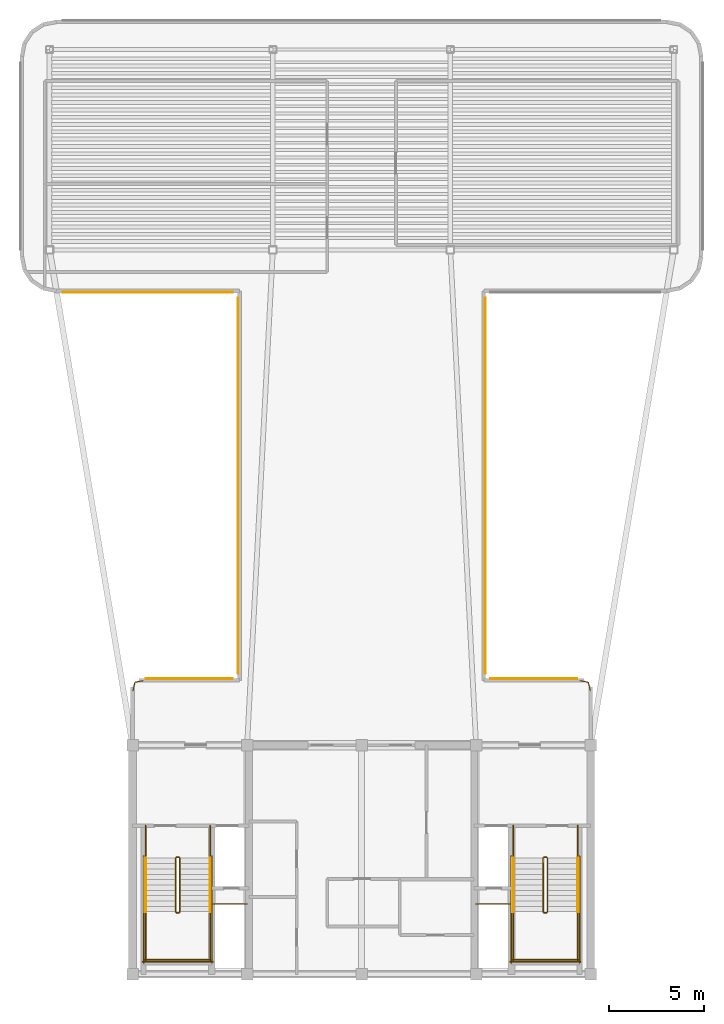
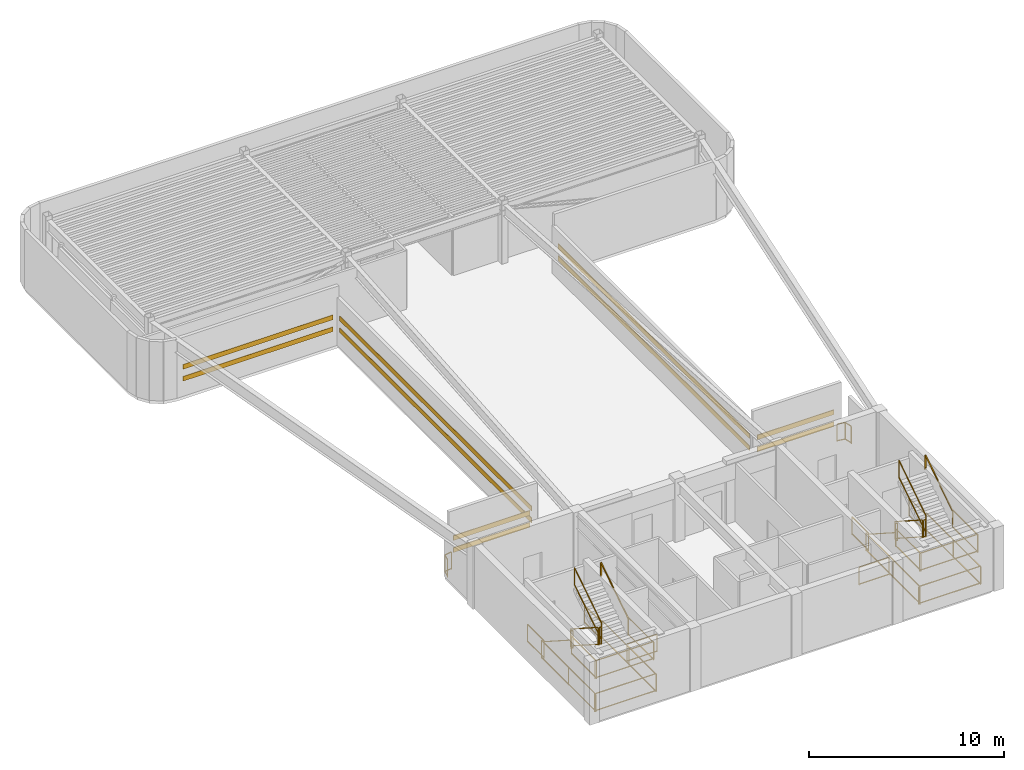
# One storey, part 5 of 6: 32 railings, 10 shading devices.
"""IFC4 building model written with IfcOpenShell, lengths in metres."""

from ifc_helpers import new_model, si_unit, direction, frame, origin, origin_2d, place, context, subcontext, project, spatial, rectangle, extrude, source, transform, mapped, material, layer, layer_set, material_profile, profile_set, type_object, element, save


model = new_model("IFC4")

# Units and contexts
model_context = context("Model", 3, precision=1e-05, world=origin(), true_north=direction((0.0, 1.0)))
body_context = subcontext(model_context, "Body", "Model", "MODEL_VIEW")
ifc_project = project(units=[si_unit("LENGTHUNIT", "METRE"), si_unit("AREAUNIT", "SQUARE_METRE"), si_unit("VOLUMEUNIT", "CUBIC_METRE"), si_unit("PLANEANGLEUNIT", "RADIAN"), si_unit("MASSUNIT", "GRAM", prefix="KILO")], contexts=[model_context])

# Site, building, storey
site_placement = place(None, origin())
site = spatial("IfcSite", under=ifc_project, at=site_placement, CompositionType="ELEMENT")
building_placement = place(site_placement, origin())
building = spatial("IfcBuilding", under=site, at=building_placement, Name="Brelvock Crest Care Tower", CompositionType="ELEMENT")
storey_placement = place(building_placement, frame((0.0, 0.0, 311.760009765625)))
storey = spatial("IfcBuildingStorey", under=building, at=storey_placement, Name="L79", CompositionType="ELEMENT", Elevation=311.760009765625)

# Railings
ifc_material_1 = material(Name="Steel Grade 350", Category="steel")
ifc_layer_1 = layer(ifc_material_1, 0.06005859375, Name="RL-GRD1")
ifc_layer_set_1 = layer_set([ifc_layer_1], Name="Steel Grade 350")
railing_type_1 = type_object("IfcRailingType", Name="RL-GRD1", PredefinedType="GUARDRAIL", material=ifc_layer_set_1)
railing_1_placement = place(storey_placement, frame((24.02001953125, 20.85009765625, 0.00390625)))
element("IfcRailing", 1, at=railing_1_placement, inside=storey, type_object=railing_type_1, Name="L79 West Throat Corner Guard", PredefinedType="GUARDRAIL", context=body_context, shape_type="SweptSolid", body=[
    extrude(rectangle(XDim=0.048095703125, YDim=0.048095703125, at=origin_2d()), frame((0.00048828125, 0.001953125, 1.09619140625), z_axis=(0.21715477266, 0.976137185395, 0.0), x_axis=(-0.976137185395, 0.21715477266, 0.0)), (0.0, 0.0, 1.0), 0.45703125),
    extrude(rectangle(XDim=0.048095703125, YDim=0.048095703125, at=origin_2d()), frame((0.00048828125, 0.001953125, 0.054931640625), z_axis=(0.21715477266, 0.976137185395, 0.0), x_axis=(-0.976137185395, 0.21715477266, 0.0)), (0.0, 0.0, 1.0), 0.45703125),
    extrude(rectangle(XDim=0.048095703125, YDim=0.048095703125, at=origin_2d()), frame((0.10205078125, 0.4501953125, 1.09619140625), z_axis=(0.983193031384, 0.182569063749, 0.0), x_axis=(-0.182569063749, 0.983193031384, 0.0)), (0.0, 0.0, 1.0), 0.433349609375),
    extrude(rectangle(XDim=0.048095703125, YDim=0.048095703125, at=origin_2d()), frame((0.10205078125, 0.4501953125, 0.054931640625), z_axis=(0.983193031384, 0.182569063749, 0.0), x_axis=(-0.182569063749, 0.983193031384, 0.0)), (0.0, 0.0, 1.0), 0.433349609375),
    extrude(rectangle(XDim=0.0419921875, YDim=0.0419921875, at=origin_2d()), origin(), (0.0, 0.0, 1.0), 1.070068359375),
    extrude(rectangle(XDim=0.0419921875, YDim=0.0419921875, at=origin_2d()), frame((0.10009765625, 0.449951171875, 0.0)), (0.0, 0.0, 1.0), 1.070068359375),
    extrude(rectangle(XDim=0.0419921875, YDim=0.0419921875, at=origin_2d()), frame((0.530029296875, 0.52978515625, 0.0)), (0.0, 0.0, 1.0), 1.070068359375),
])
railing_2_placement = place(storey_placement, frame((47.449951171875, 21.3798828125, 0.00390625)))
element("IfcRailing", 2, at=railing_2_placement, inside=storey, type_object=railing_type_1, Name="L79 East Throat Corner Guard", PredefinedType="GUARDRAIL", context=body_context, shape_type="SweptSolid", body=[
    extrude(rectangle(XDim=0.048095703125, YDim=0.048095703125, at=origin_2d()), frame((0.001953125, -0.000244140625, 1.09619140625), z_axis=(0.983193031384, -0.182569063749, 0.0), x_axis=(0.182569063749, 0.983193031384, 0.0)), (0.0, 0.0, 1.0), 0.433349609375),
    extrude(rectangle(XDim=0.048095703125, YDim=0.048095703125, at=origin_2d()), frame((0.001953125, -0.000244140625, 0.054931640625), z_axis=(0.983193031384, -0.182569063749, 0.0), x_axis=(0.182569063749, 0.983193031384, 0.0)), (0.0, 0.0, 1.0), 0.433349609375),
    extrude(rectangle(XDim=0.048095703125, YDim=0.048095703125, at=origin_2d()), frame((0.430419921875, -0.081787109375, 1.09619140625), z_axis=(0.21715477266, -0.976137185395, 0.0), x_axis=(0.976137185395, 0.21715477266, 0.0)), (0.0, 0.0, 1.0), 0.45703125),
    extrude(rectangle(XDim=0.048095703125, YDim=0.048095703125, at=origin_2d()), frame((0.430419921875, -0.081787109375, 0.054931640625), z_axis=(0.21715477266, -0.976137185395, 0.0), x_axis=(0.976137185395, 0.21715477266, 0.0)), (0.0, 0.0, 1.0), 0.45703125),
    extrude(rectangle(XDim=0.0419921875, YDim=0.0419921875, at=origin_2d()), origin(), (0.0, 0.0, 1.0), 1.070068359375),
    extrude(rectangle(XDim=0.0419921875, YDim=0.0419921875, at=origin_2d()), frame((0.429931640625, -0.079833984375, 0.0)), (0.0, 0.0, 1.0), 1.070068359375),
    extrude(rectangle(XDim=0.0419921875, YDim=0.0419921875, at=origin_2d()), frame((0.530029296875, -0.52978515625, 0.0)), (0.0, 0.0, 1.0), 1.070068359375),
])
ifc_layer_2 = layer(ifc_material_1, 0.050048828125, Name="RL-STG1")
ifc_layer_set_2 = layer_set([ifc_layer_2], Name="Steel Grade 350")
railing_type_2 = type_object("IfcRailingType", Name="RL-STG1", PredefinedType="GUARDRAIL", material=ifc_layer_set_2)
railing_3_placement = place(storey_placement, frame((26.260009765625, 12.080078125, 0.179931640625)))
element("IfcRailing", 3, at=railing_3_placement, inside=storey, type_object=railing_type_2, Name="L79 ST-1 stair guard 1", PredefinedType="GUARDRAIL", context=body_context, shape_type="SweptSolid", body=[
    extrude(rectangle(XDim=0.048095703125, YDim=0.048095703125, at=origin_2d()), frame((0.0, -0.001708984375, 1.116943359375), z_axis=(0.0, -0.841176092368, 0.540761298198), x_axis=(1.0, 0.0, 0.0)), (0.0, 0.0, 1.0), 3.32470703125),
    extrude(rectangle(XDim=0.048095703125, YDim=0.048095703125, at=origin_2d()), frame((0.0, -0.001708984375, 0.05615234375), z_axis=(0.0, -0.841176092368, 0.540761298198), x_axis=(1.0, 0.0, 0.0)), (0.0, 0.0, 1.0), 3.32470703125),
    extrude(rectangle(XDim=0.0419921875, YDim=0.0419921875, at=origin_2d()), origin(), (0.0, 0.0, 1.0), 1.08984375),
    extrude(rectangle(XDim=0.0419921875, YDim=0.0419921875, at=origin_2d()), frame((0.0, -2.800048828125, 1.800048828125)), (0.0, 0.0, 1.0), 1.08984375),
])
railing_4_placement = place(storey_placement, frame((26.31005859375, 9.22998046875, 1.97998046875)))
element("IfcRailing", 4, at=railing_4_placement, inside=storey, type_object=railing_type_2, Name="L79 ST-1 stair guard 2", PredefinedType="GUARDRAIL", context=body_context, shape_type="SweptSolid", body=[
    extrude(rectangle(XDim=0.048095703125, YDim=0.048095703125, at=origin_2d()), frame((0.001953125, 0.0, 1.11572265625), z_axis=(1.0, 0.0, 0.0), x_axis=(0.0, 1.0, 0.0)), (0.0, 0.0, 1.0), 0.115966796875),
    extrude(rectangle(XDim=0.048095703125, YDim=0.048095703125, at=origin_2d()), frame((0.001953125, 0.0, 0.054931640625), z_axis=(1.0, 0.0, 0.0), x_axis=(0.0, 1.0, 0.0)), (0.0, 0.0, 1.0), 0.115966796875),
    extrude(rectangle(XDim=0.0419921875, YDim=0.0419921875, at=origin_2d()), origin(), (0.0, 0.0, 1.0), 1.08984375),
    extrude(rectangle(XDim=0.0419921875, YDim=0.0419921875, at=origin_2d()), frame((0.119873046875, 0.0, 0.0)), (0.0, 0.0, 1.0), 1.08984375),
])
for number, where, name in (
    (5, (24.679931640625, 9.280029296875, 1.97998046875), "L79 ST-1 stair guard 3"),
    (6, (28.06005859375, 9.280029296875, 1.97998046875), "L79 ST-1 stair guard 4"),
):
    element("IfcRailing", number, at=place(storey_placement, frame(where)), inside=storey, type_object=railing_type_2, Name=name, PredefinedType="GUARDRAIL", context=body_context, shape_type="SweptSolid", body=[
        extrude(rectangle(XDim=0.048095703125, YDim=0.048095703125, at=origin_2d()), frame((0.0, -0.001953125, 1.11572265625), z_axis=(0.0, -1.0, 0.0), x_axis=(1.0, 0.0, 0.0)), (0.0, 0.0, 1.0), 2.576171875),
        extrude(rectangle(XDim=0.048095703125, YDim=0.048095703125, at=origin_2d()), frame((0.0, -0.001953125, 0.054931640625), z_axis=(0.0, -1.0, 0.0), x_axis=(1.0, 0.0, 0.0)), (0.0, 0.0, 1.0), 2.576171875),
        extrude(rectangle(XDim=0.0419921875, YDim=0.0419921875, at=origin_2d()), origin(), (0.0, 0.0, 1.0), 1.08984375),
        extrude(rectangle(XDim=0.0419921875, YDim=0.0419921875, at=origin_2d()), frame((0.0, -2.580078125, 0.0)), (0.0, 0.0, 1.0), 1.08984375),
    ])
railing_5_placement = place(storey_placement, frame((24.6298828125, 6.75, 1.97998046875)))
element("IfcRailing", 7, at=railing_5_placement, inside=storey, type_object=railing_type_2, Name="L79 ST-1 stair guard 5", PredefinedType="GUARDRAIL", context=body_context, shape_type="SweptSolid", body=[
    extrude(rectangle(XDim=0.048095703125, YDim=0.048095703125, at=origin_2d()), frame((0.001953125, 0.0, 1.11572265625), z_axis=(1.0, 0.0, 0.0), x_axis=(0.0, 1.0, 0.0)), (0.0, 0.0, 1.0), 3.476318359375),
    extrude(rectangle(XDim=0.048095703125, YDim=0.048095703125, at=origin_2d()), frame((0.001953125, 0.0, 0.054931640625), z_axis=(1.0, 0.0, 0.0), x_axis=(0.0, 1.0, 0.0)), (0.0, 0.0, 1.0), 3.476318359375),
    extrude(rectangle(XDim=0.0419921875, YDim=0.0419921875, at=origin_2d()), origin(), (0.0, 0.0, 1.0), 1.08984375),
    extrude(rectangle(XDim=0.0419921875, YDim=0.0419921875, at=origin_2d()), frame((3.480224609375, 0.0, 0.0)), (0.0, 0.0, 1.0), 1.08984375),
])
railing_6_placement = place(storey_placement, frame((26.47998046875, 9.280029296875, 2.159912109375)))
element("IfcRailing", 8, at=railing_6_placement, inside=storey, type_object=railing_type_2, Name="L79 ST-1 stair guard 6", PredefinedType="GUARDRAIL", context=body_context, shape_type="SweptSolid", body=[
    extrude(rectangle(XDim=0.048095703125, YDim=0.048095703125, at=origin_2d()), frame((0.0, 0.001708984375, 1.116943359375), z_axis=(0.0, 0.841176092368, 0.540761298198), x_axis=(-1.0, 0.0, 0.0)), (0.0, 0.0, 1.0), 3.32470703125),
    extrude(rectangle(XDim=0.048095703125, YDim=0.048095703125, at=origin_2d()), frame((0.0, 0.001708984375, 0.05615234375), z_axis=(0.0, 0.841176092368, 0.540761298198), x_axis=(-1.0, 0.0, 0.0)), (0.0, 0.0, 1.0), 3.32470703125),
    extrude(rectangle(XDim=0.0419921875, YDim=0.0419921875, at=origin_2d()), origin(), (0.0, 0.0, 1.0), 1.08984375),
    extrude(rectangle(XDim=0.0419921875, YDim=0.0419921875, at=origin_2d()), frame((0.0, 2.800048828125, 1.800048828125)), (0.0, 0.0, 1.0), 1.08984375),
])
railing_7_placement = place(storey_placement, frame((26.31005859375, 12.1298828125, 0.0)))
element("IfcRailing", 9, at=railing_7_placement, inside=storey, type_object=railing_type_2, Name="L79 ST-1 stair guard 7", PredefinedType="GUARDRAIL", context=body_context, shape_type="SweptSolid", body=[
    extrude(rectangle(XDim=0.048095703125, YDim=0.048095703125, at=origin_2d()), frame((0.001953125, 0.0, 1.11572265625), z_axis=(1.0, 0.0, 0.0), x_axis=(0.0, 1.0, 0.0)), (0.0, 0.0, 1.0), 0.115966796875),
    extrude(rectangle(XDim=0.048095703125, YDim=0.048095703125, at=origin_2d()), frame((0.001953125, 0.0, 0.054931640625), z_axis=(1.0, 0.0, 0.0), x_axis=(0.0, 1.0, 0.0)), (0.0, 0.0, 1.0), 0.115966796875),
    extrude(rectangle(XDim=0.0419921875, YDim=0.0419921875, at=origin_2d()), origin(), (0.0, 0.0, 1.0), 1.08984375),
    extrude(rectangle(XDim=0.0419921875, YDim=0.0419921875, at=origin_2d()), frame((0.119873046875, 0.0, 0.0)), (0.0, 0.0, 1.0), 1.08984375),
])
for number, where, name in (
    (10, (24.679931640625, 13.780029296875, 0.0), "L79 ST-1 stair guard 8"),
    (11, (28.06005859375, 13.780029296875, 0.0), "L79 ST-1 stair guard 9"),
):
    element("IfcRailing", number, at=place(storey_placement, frame(where)), inside=storey, type_object=railing_type_2, Name=name, PredefinedType="GUARDRAIL", context=body_context, shape_type="SweptSolid", body=[
        extrude(rectangle(XDim=0.048095703125, YDim=0.048095703125, at=origin_2d()), frame((0.0, -0.001953125, 1.11572265625), z_axis=(0.0, -1.0, 0.0), x_axis=(1.0, 0.0, 0.0)), (0.0, 0.0, 1.0), 1.696044921875),
        extrude(rectangle(XDim=0.048095703125, YDim=0.048095703125, at=origin_2d()), frame((0.0, -0.001953125, 0.054931640625), z_axis=(0.0, -1.0, 0.0), x_axis=(1.0, 0.0, 0.0)), (0.0, 0.0, 1.0), 1.696044921875),
        extrude(rectangle(XDim=0.0419921875, YDim=0.0419921875, at=origin_2d()), origin(), (0.0, 0.0, 1.0), 1.08984375),
        extrude(rectangle(XDim=0.0419921875, YDim=0.0419921875, at=origin_2d()), frame((0.0, -1.699951171875, 0.0)), (0.0, 0.0, 1.0), 1.08984375),
    ])
for number, where, name in (
    (12, (24.580078125, 12.179931640625, 0.0), "L79 ST-1 stair guard 10"),
    (13, (28.159912109375, 12.179931640625, 0.0), "L79 ST-1 stair guard 11"),
):
    element("IfcRailing", number, at=place(storey_placement, frame(where)), inside=storey, type_object=railing_type_2, Name=name, PredefinedType="GUARDRAIL", context=body_context, shape_type="SweptSolid", body=[
        extrude(rectangle(XDim=0.048095703125, YDim=0.048095703125, at=origin_2d()), frame((0.0, -0.001953125, 1.11572265625), z_axis=(0.0, -1.0, 0.0), x_axis=(1.0, 0.0, 0.0)), (0.0, 0.0, 1.0), 5.575927734375),
        extrude(rectangle(XDim=0.048095703125, YDim=0.048095703125, at=origin_2d()), frame((0.0, -0.001953125, 0.054931640625), z_axis=(0.0, -1.0, 0.0), x_axis=(1.0, 0.0, 0.0)), (0.0, 0.0, 1.0), 5.575927734375),
        extrude(rectangle(XDim=0.0419921875, YDim=0.0419921875, at=origin_2d()), origin(), (0.0, 0.0, 1.0), 1.08984375),
        extrude(rectangle(XDim=0.0419921875, YDim=0.0419921875, at=origin_2d()), frame((0.0, -2.7900390625, 0.0)), (0.0, 0.0, 1.0), 1.08984375),
        extrude(rectangle(XDim=0.0419921875, YDim=0.0419921875, at=origin_2d()), frame((0.0, -5.579833984375, 0.0)), (0.0, 0.0, 1.0), 1.08984375),
    ])
railing_8_placement = place(storey_placement, frame((24.530029296875, 6.64990234375, 0.0)))
element("IfcRailing", 14, at=railing_8_placement, inside=storey, type_object=railing_type_2, Name="L79 ST-1 stair guard 12", PredefinedType="GUARDRAIL", context=body_context, shape_type="SweptSolid", body=[
    extrude(rectangle(XDim=0.048095703125, YDim=0.048095703125, at=origin_2d()), frame((0.001953125, 0.0, 1.11572265625), z_axis=(1.0, 0.0, 0.0), x_axis=(0.0, 1.0, 0.0)), (0.0, 0.0, 1.0), 3.676025390625),
    extrude(rectangle(XDim=0.048095703125, YDim=0.048095703125, at=origin_2d()), frame((0.001953125, 0.0, 0.054931640625), z_axis=(1.0, 0.0, 0.0), x_axis=(0.0, 1.0, 0.0)), (0.0, 0.0, 1.0), 3.676025390625),
    extrude(rectangle(XDim=0.0419921875, YDim=0.0419921875, at=origin_2d()), origin(), (0.0, 0.0, 1.0), 1.08984375),
    extrude(rectangle(XDim=0.0419921875, YDim=0.0419921875, at=origin_2d()), frame((3.679931640625, 0.0, 0.0)), (0.0, 0.0, 1.0), 1.08984375),
])
railing_9_placement = place(storey_placement, frame((45.52001953125, 12.080078125, 0.179931640625)))
element("IfcRailing", 15, at=railing_9_placement, inside=storey, type_object=railing_type_2, Name="L79 ST-2 stair guard 1", PredefinedType="GUARDRAIL", context=body_context, shape_type="SweptSolid", body=[
    extrude(rectangle(XDim=0.048095703125, YDim=0.048095703125, at=origin_2d()), frame((0.0, -0.001708984375, 1.116943359375), z_axis=(0.0, -0.841176092368, 0.540761298198), x_axis=(1.0, 0.0, 0.0)), (0.0, 0.0, 1.0), 3.32470703125),
    extrude(rectangle(XDim=0.048095703125, YDim=0.048095703125, at=origin_2d()), frame((0.0, -0.001708984375, 0.05615234375), z_axis=(0.0, -0.841176092368, 0.540761298198), x_axis=(1.0, 0.0, 0.0)), (0.0, 0.0, 1.0), 3.32470703125),
    extrude(rectangle(XDim=0.0419921875, YDim=0.0419921875, at=origin_2d()), origin(), (0.0, 0.0, 1.0), 1.08984375),
    extrude(rectangle(XDim=0.0419921875, YDim=0.0419921875, at=origin_2d()), frame((0.0, -2.800048828125, 1.800048828125)), (0.0, 0.0, 1.0), 1.08984375),
])
railing_10_placement = place(storey_placement, frame((45.570068359375, 9.22998046875, 1.97998046875)))
element("IfcRailing", 16, at=railing_10_placement, inside=storey, type_object=railing_type_2, Name="L79 ST-2 stair guard 2", PredefinedType="GUARDRAIL", context=body_context, shape_type="SweptSolid", body=[
    extrude(rectangle(XDim=0.048095703125, YDim=0.048095703125, at=origin_2d()), frame((0.001953125, 0.0, 1.11572265625), z_axis=(1.0, 0.0, 0.0), x_axis=(0.0, 1.0, 0.0)), (0.0, 0.0, 1.0), 0.115966796875),
    extrude(rectangle(XDim=0.048095703125, YDim=0.048095703125, at=origin_2d()), frame((0.001953125, 0.0, 0.054931640625), z_axis=(1.0, 0.0, 0.0), x_axis=(0.0, 1.0, 0.0)), (0.0, 0.0, 1.0), 0.115966796875),
    extrude(rectangle(XDim=0.0419921875, YDim=0.0419921875, at=origin_2d()), origin(), (0.0, 0.0, 1.0), 1.08984375),
    extrude(rectangle(XDim=0.0419921875, YDim=0.0419921875, at=origin_2d()), frame((0.119873046875, 0.0, 0.0)), (0.0, 0.0, 1.0), 1.08984375),
])
for number, where, name in (
    (17, (43.93994140625, 9.280029296875, 1.97998046875), "L79 ST-2 stair guard 3"),
    (18, (47.320068359375, 9.280029296875, 1.97998046875), "L79 ST-2 stair guard 4"),
):
    element("IfcRailing", number, at=place(storey_placement, frame(where)), inside=storey, type_object=railing_type_2, Name=name, PredefinedType="GUARDRAIL", context=body_context, shape_type="SweptSolid", body=[
        extrude(rectangle(XDim=0.048095703125, YDim=0.048095703125, at=origin_2d()), frame((0.0, -0.001953125, 1.11572265625), z_axis=(0.0, -1.0, 0.0), x_axis=(1.0, 0.0, 0.0)), (0.0, 0.0, 1.0), 2.576171875),
        extrude(rectangle(XDim=0.048095703125, YDim=0.048095703125, at=origin_2d()), frame((0.0, -0.001953125, 0.054931640625), z_axis=(0.0, -1.0, 0.0), x_axis=(1.0, 0.0, 0.0)), (0.0, 0.0, 1.0), 2.576171875),
        extrude(rectangle(XDim=0.0419921875, YDim=0.0419921875, at=origin_2d()), origin(), (0.0, 0.0, 1.0), 1.08984375),
        extrude(rectangle(XDim=0.0419921875, YDim=0.0419921875, at=origin_2d()), frame((0.0, -2.580078125, 0.0)), (0.0, 0.0, 1.0), 1.08984375),
    ])
railing_11_placement = place(storey_placement, frame((43.889892578125, 6.75, 1.97998046875)))
element("IfcRailing", 19, at=railing_11_placement, inside=storey, type_object=railing_type_2, Name="L79 ST-2 stair guard 5", PredefinedType="GUARDRAIL", context=body_context, shape_type="SweptSolid", body=[
    extrude(rectangle(XDim=0.048095703125, YDim=0.048095703125, at=origin_2d()), frame((0.001953125, 0.0, 1.11572265625), z_axis=(1.0, 0.0, 0.0), x_axis=(0.0, 1.0, 0.0)), (0.0, 0.0, 1.0), 3.476318359375),
    extrude(rectangle(XDim=0.048095703125, YDim=0.048095703125, at=origin_2d()), frame((0.001953125, 0.0, 0.054931640625), z_axis=(1.0, 0.0, 0.0), x_axis=(0.0, 1.0, 0.0)), (0.0, 0.0, 1.0), 3.476318359375),
    extrude(rectangle(XDim=0.0419921875, YDim=0.0419921875, at=origin_2d()), origin(), (0.0, 0.0, 1.0), 1.08984375),
    extrude(rectangle(XDim=0.0419921875, YDim=0.0419921875, at=origin_2d()), frame((3.480224609375, 0.0, 0.0)), (0.0, 0.0, 1.0), 1.08984375),
])
railing_12_placement = place(storey_placement, frame((45.739990234375, 9.280029296875, 2.159912109375)))
element("IfcRailing", 20, at=railing_12_placement, inside=storey, type_object=railing_type_2, Name="L79 ST-2 stair guard 6", PredefinedType="GUARDRAIL", context=body_context, shape_type="SweptSolid", body=[
    extrude(rectangle(XDim=0.048095703125, YDim=0.048095703125, at=origin_2d()), frame((0.0, 0.001708984375, 1.116943359375), z_axis=(0.0, 0.841176092368, 0.540761298198), x_axis=(-1.0, 0.0, 0.0)), (0.0, 0.0, 1.0), 3.32470703125),
    extrude(rectangle(XDim=0.048095703125, YDim=0.048095703125, at=origin_2d()), frame((0.0, 0.001708984375, 0.05615234375), z_axis=(0.0, 0.841176092368, 0.540761298198), x_axis=(-1.0, 0.0, 0.0)), (0.0, 0.0, 1.0), 3.32470703125),
    extrude(rectangle(XDim=0.0419921875, YDim=0.0419921875, at=origin_2d()), origin(), (0.0, 0.0, 1.0), 1.08984375),
    extrude(rectangle(XDim=0.0419921875, YDim=0.0419921875, at=origin_2d()), frame((0.0, 2.800048828125, 1.800048828125)), (0.0, 0.0, 1.0), 1.08984375),
])
railing_13_placement = place(storey_placement, frame((45.570068359375, 12.1298828125, 0.0)))
element("IfcRailing", 21, at=railing_13_placement, inside=storey, type_object=railing_type_2, Name="L79 ST-2 stair guard 7", PredefinedType="GUARDRAIL", context=body_context, shape_type="SweptSolid", body=[
    extrude(rectangle(XDim=0.048095703125, YDim=0.048095703125, at=origin_2d()), frame((0.001953125, 0.0, 1.11572265625), z_axis=(1.0, 0.0, 0.0), x_axis=(0.0, 1.0, 0.0)), (0.0, 0.0, 1.0), 0.115966796875),
    extrude(rectangle(XDim=0.048095703125, YDim=0.048095703125, at=origin_2d()), frame((0.001953125, 0.0, 0.054931640625), z_axis=(1.0, 0.0, 0.0), x_axis=(0.0, 1.0, 0.0)), (0.0, 0.0, 1.0), 0.115966796875),
    extrude(rectangle(XDim=0.0419921875, YDim=0.0419921875, at=origin_2d()), origin(), (0.0, 0.0, 1.0), 1.08984375),
    extrude(rectangle(XDim=0.0419921875, YDim=0.0419921875, at=origin_2d()), frame((0.119873046875, 0.0, 0.0)), (0.0, 0.0, 1.0), 1.08984375),
])
for number, where, name in (
    (22, (43.93994140625, 13.780029296875, 0.0), "L79 ST-2 stair guard 8"),
    (23, (47.320068359375, 13.780029296875, 0.0), "L79 ST-2 stair guard 9"),
):
    element("IfcRailing", number, at=place(storey_placement, frame(where)), inside=storey, type_object=railing_type_2, Name=name, PredefinedType="GUARDRAIL", context=body_context, shape_type="SweptSolid", body=[
        extrude(rectangle(XDim=0.048095703125, YDim=0.048095703125, at=origin_2d()), frame((0.0, -0.001953125, 1.11572265625), z_axis=(0.0, -1.0, 0.0), x_axis=(1.0, 0.0, 0.0)), (0.0, 0.0, 1.0), 1.696044921875),
        extrude(rectangle(XDim=0.048095703125, YDim=0.048095703125, at=origin_2d()), frame((0.0, -0.001953125, 0.054931640625), z_axis=(0.0, -1.0, 0.0), x_axis=(1.0, 0.0, 0.0)), (0.0, 0.0, 1.0), 1.696044921875),
        extrude(rectangle(XDim=0.0419921875, YDim=0.0419921875, at=origin_2d()), origin(), (0.0, 0.0, 1.0), 1.08984375),
        extrude(rectangle(XDim=0.0419921875, YDim=0.0419921875, at=origin_2d()), frame((0.0, -1.699951171875, 0.0)), (0.0, 0.0, 1.0), 1.08984375),
    ])
for number, where, name in (
    (24, (43.840087890625, 12.179931640625, 0.0), "L79 ST-2 stair guard 10"),
    (25, (47.419921875, 12.179931640625, 0.0), "L79 ST-2 stair guard 11"),
):
    element("IfcRailing", number, at=place(storey_placement, frame(where)), inside=storey, type_object=railing_type_2, Name=name, PredefinedType="GUARDRAIL", context=body_context, shape_type="SweptSolid", body=[
        extrude(rectangle(XDim=0.048095703125, YDim=0.048095703125, at=origin_2d()), frame((0.0, -0.001953125, 1.11572265625), z_axis=(0.0, -1.0, 0.0), x_axis=(1.0, 0.0, 0.0)), (0.0, 0.0, 1.0), 5.575927734375),
        extrude(rectangle(XDim=0.048095703125, YDim=0.048095703125, at=origin_2d()), frame((0.0, -0.001953125, 0.054931640625), z_axis=(0.0, -1.0, 0.0), x_axis=(1.0, 0.0, 0.0)), (0.0, 0.0, 1.0), 5.575927734375),
        extrude(rectangle(XDim=0.0419921875, YDim=0.0419921875, at=origin_2d()), origin(), (0.0, 0.0, 1.0), 1.08984375),
        extrude(rectangle(XDim=0.0419921875, YDim=0.0419921875, at=origin_2d()), frame((0.0, -2.7900390625, 0.0)), (0.0, 0.0, 1.0), 1.08984375),
        extrude(rectangle(XDim=0.0419921875, YDim=0.0419921875, at=origin_2d()), frame((0.0, -5.579833984375, 0.0)), (0.0, 0.0, 1.0), 1.08984375),
    ])
railing_14_placement = place(storey_placement, frame((43.7900390625, 6.64990234375, 0.0)))
element("IfcRailing", 26, at=railing_14_placement, inside=storey, type_object=railing_type_2, Name="L79 ST-2 stair guard 12", PredefinedType="GUARDRAIL", context=body_context, shape_type="SweptSolid", body=[
    extrude(rectangle(XDim=0.048095703125, YDim=0.048095703125, at=origin_2d()), frame((0.001953125, 0.0, 1.11572265625), z_axis=(1.0, 0.0, 0.0), x_axis=(0.0, 1.0, 0.0)), (0.0, 0.0, 1.0), 3.676025390625),
    extrude(rectangle(XDim=0.048095703125, YDim=0.048095703125, at=origin_2d()), frame((0.001953125, 0.0, 0.054931640625), z_axis=(1.0, 0.0, 0.0), x_axis=(0.0, 1.0, 0.0)), (0.0, 0.0, 1.0), 3.676025390625),
    extrude(rectangle(XDim=0.0419921875, YDim=0.0419921875, at=origin_2d()), origin(), (0.0, 0.0, 1.0), 1.08984375),
    extrude(rectangle(XDim=0.0419921875, YDim=0.0419921875, at=origin_2d()), frame((3.679931640625, 0.0, 0.0)), (0.0, 0.0, 1.0), 1.08984375),
])
for number, where, name in (
    (27, (28.219970703125, 9.679931640625, 0.0), "L79 Fire Riser Threshold Guard"),
    (28, (42.0, 9.679931640625, 0.0), "L79 Exhaust Riser Threshold Guard"),
):
    element("IfcRailing", number, at=place(storey_placement, frame(where)), inside=storey, type_object=railing_type_2, Name=name, PredefinedType="GUARDRAIL", context=body_context, shape_type="SweptSolid", body=[
        extrude(rectangle(XDim=0.048095703125, YDim=0.048095703125, at=origin_2d()), frame((0.001953125, 0.0, 1.11572265625), z_axis=(1.0, 0.0, 0.0), x_axis=(0.0, 1.0, 0.0)), (0.0, 0.0, 1.0), 1.776123046875),
        extrude(rectangle(XDim=0.048095703125, YDim=0.048095703125, at=origin_2d()), frame((0.001953125, 0.0, 0.054931640625), z_axis=(1.0, 0.0, 0.0), x_axis=(0.0, 1.0, 0.0)), (0.0, 0.0, 1.0), 1.776123046875),
        extrude(rectangle(XDim=0.0419921875, YDim=0.0419921875, at=origin_2d()), origin(), (0.0, 0.0, 1.0), 1.08984375),
        extrude(rectangle(XDim=0.0419921875, YDim=0.0419921875, at=origin_2d()), frame((1.780029296875, 0.0, 0.0)), (0.0, 0.0, 1.0), 1.08984375),
    ])
ifc_layer_3 = layer(ifc_material_1, 0.048095703125, Name="RL-STH1")
ifc_layer_set_3 = layer_set([ifc_layer_3], Name="Steel Grade 350")
railing_type_3 = type_object("IfcRailingType", Name="RL-STH1", PredefinedType="HANDRAIL", material=ifc_layer_set_3)
railing_15_placement = place(storey_placement, frame((24.679931640625, 12.080078125, 0.179931640625)))
element("IfcRailing", 29, at=railing_15_placement, inside=storey, type_object=railing_type_3, Name="L79 ST-1 stair handrail 1", PredefinedType="HANDRAIL", context=body_context, shape_type="SweptSolid", body=[
    extrude(rectangle(XDim=0.048095703125, YDim=0.048095703125, at=origin_2d()), frame((0.0, -0.001708984375, 0.876953125), z_axis=(0.0, -0.841176092368, 0.540761298198), x_axis=(1.0, 0.0, 0.0)), (0.0, 0.0, 1.0), 3.32470703125),
    extrude(rectangle(XDim=0.0419921875, YDim=0.0419921875, at=origin_2d()), origin(), (0.0, 0.0, 1.0), 0.849853515625),
    extrude(rectangle(XDim=0.0419921875, YDim=0.0419921875, at=origin_2d()), frame((0.0, -2.800048828125, 1.800048828125)), (0.0, 0.0, 1.0), 0.849853515625),
])
railing_16_placement = place(storey_placement, frame((28.06005859375, 9.280029296875, 2.159912109375)))
element("IfcRailing", 30, at=railing_16_placement, inside=storey, type_object=railing_type_3, Name="L79 ST-1 stair handrail 2", PredefinedType="HANDRAIL", context=body_context, shape_type="SweptSolid", body=[
    extrude(rectangle(XDim=0.048095703125, YDim=0.048095703125, at=origin_2d()), frame((0.0, 0.001708984375, 0.876953125), z_axis=(0.0, 0.841176092368, 0.540761298198), x_axis=(-1.0, 0.0, 0.0)), (0.0, 0.0, 1.0), 3.32470703125),
    extrude(rectangle(XDim=0.0419921875, YDim=0.0419921875, at=origin_2d()), origin(), (0.0, 0.0, 1.0), 0.849853515625),
    extrude(rectangle(XDim=0.0419921875, YDim=0.0419921875, at=origin_2d()), frame((0.0, 2.800048828125, 1.800048828125)), (0.0, 0.0, 1.0), 0.849853515625),
])
railing_17_placement = place(storey_placement, frame((43.93994140625, 12.080078125, 0.179931640625)))
element("IfcRailing", 31, at=railing_17_placement, inside=storey, type_object=railing_type_3, Name="L79 ST-2 stair handrail 1", PredefinedType="HANDRAIL", context=body_context, shape_type="SweptSolid", body=[
    extrude(rectangle(XDim=0.048095703125, YDim=0.048095703125, at=origin_2d()), frame((0.0, -0.001708984375, 0.876953125), z_axis=(0.0, -0.841176092368, 0.540761298198), x_axis=(1.0, 0.0, 0.0)), (0.0, 0.0, 1.0), 3.32470703125),
    extrude(rectangle(XDim=0.0419921875, YDim=0.0419921875, at=origin_2d()), origin(), (0.0, 0.0, 1.0), 0.849853515625),
    extrude(rectangle(XDim=0.0419921875, YDim=0.0419921875, at=origin_2d()), frame((0.0, -2.800048828125, 1.800048828125)), (0.0, 0.0, 1.0), 0.849853515625),
])
railing_18_placement = place(storey_placement, frame((47.320068359375, 9.280029296875, 2.159912109375)))
element("IfcRailing", 32, at=railing_18_placement, inside=storey, type_object=railing_type_3, Name="L79 ST-2 stair handrail 2", PredefinedType="HANDRAIL", context=body_context, shape_type="SweptSolid", body=[
    extrude(rectangle(XDim=0.048095703125, YDim=0.048095703125, at=origin_2d()), frame((0.0, 0.001708984375, 0.876953125), z_axis=(0.0, 0.841176092368, 0.540761298198), x_axis=(-1.0, 0.0, 0.0)), (0.0, 0.0, 1.0), 3.32470703125),
    extrude(rectangle(XDim=0.0419921875, YDim=0.0419921875, at=origin_2d()), origin(), (0.0, 0.0, 1.0), 0.849853515625),
    extrude(rectangle(XDim=0.0419921875, YDim=0.0419921875, at=origin_2d()), frame((0.0, 2.800048828125, 1.800048828125)), (0.0, 0.0, 1.0), 0.849853515625),
])

# Shading devices
ifc_material_2 = material(Name="Aluminium 6063-T6", Category="aluminium")
ifc_material_profile_1 = material_profile(ifc_material_2, rectangle(XDim=0.044921875, YDim=0.300048828125, at=origin_2d()), Name="LOUVRE45x300")
ifc_profile_set_1 = profile_set([ifc_material_profile_1], Name="Aluminium 6063-T6")
shading_device_type_1 = type_object("IfcShadingDeviceType", Name="SHD-SH1", PredefinedType="SHUTTER", material=ifc_profile_set_1)
shared_shape_1 = source(origin(), body_context, "Body", "SweptSolid", [
    extrude(rectangle(XDim=0.044921875, YDim=0.300048828125, at=origin_2d()), origin(), (0.0, 0.0, 1.0), 4.550048828125),
])
for number, where, z_axis, x_axis, name in (
    (33, (24.699951171875, 21.47509765625, 1.10009765625), (1.0, 0.0, 0.0), (0.0, 1.0, 0.0), "L79 Crown Acoustic Louvre 11-1"),
    (34, (24.699951171875, 21.47509765625, 1.85009765625), (1.0, 0.0, 0.0), (0.0, 1.0, 0.0), "L79 Crown Acoustic Louvre 11-2"),
    (35, (42.75, 21.47509765625, 1.10009765625), (1.0, 0.0, 0.0), (0.0, 1.0, 0.0), "L79 Crown Acoustic Louvre 35-1"),
    (36, (42.75, 21.47509765625, 1.85009765625), (1.0, 0.0, 0.0), (0.0, 1.0, 0.0), "L79 Crown Acoustic Louvre 35-2"),
):
    element("IfcShadingDevice", number, at=place(storey_placement, frame(where, z_axis=z_axis, x_axis=x_axis)), inside=storey, type_object=shading_device_type_1, Name=name, PredefinedType="SHUTTER", context=body_context, shape_type="MappedRepresentation", body=[
        mapped(shared_shape_1, transform((0.0, 0.0, 0.0), x_axis=(1.0, 0.0, 0.0), y_axis=(0.0, 1.0, 0.0), z_axis=(0.0, 0.0, 1.0), scale=1.0)),
    ])
ifc_material_profile_2 = material_profile(ifc_material_2, rectangle(XDim=0.044921875, YDim=0.300048828125, at=origin_2d()), Name="LOUVRE45x300")
ifc_profile_set_2 = profile_set([ifc_material_profile_2], Name="Aluminium 6063-T6")
shading_device_type_2 = type_object("IfcShadingDeviceType", Name="SHD-LV1", PredefinedType="JALOUSIE", material=ifc_profile_set_2)
shared_shape_2 = source(origin(), body_context, "Body", "SweptSolid", [
    extrude(rectangle(XDim=0.044921875, YDim=0.300048828125, at=origin_2d()), origin(), (0.0, 0.0, 1.0), 19.699951171875),
])
for number, where, z_axis, x_axis, name in (
    (37, (29.52490234375, 21.75, 1.10009765625), (0.0, 1.0, 0.0), (-1.0, 0.0, 0.0), "L79 Crown Acoustic Louvre 12-1"),
    (38, (29.52490234375, 21.75, 1.85009765625), (0.0, 1.0, 0.0), (-1.0, 0.0, 0.0), "L79 Crown Acoustic Louvre 12-2"),
    (39, (42.47509765625, 41.449951171875, 1.10009765625), (0.0, -1.0, 0.0), (1.0, 0.0, 0.0), "L79 Crown Acoustic Louvre 34-1"),
    (40, (42.47509765625, 41.449951171875, 1.85009765625), (0.0, -1.0, 0.0), (1.0, 0.0, 0.0), "L79 Crown Acoustic Louvre 34-2"),
):
    element("IfcShadingDevice", number, at=place(storey_placement, frame(where, z_axis=z_axis, x_axis=x_axis)), inside=storey, type_object=shading_device_type_2, Name=name, PredefinedType="JALOUSIE", context=body_context, shape_type="MappedRepresentation", body=[
        mapped(shared_shape_2, transform((0.0, 0.0, 0.0), x_axis=(1.0, 0.0, 0.0), y_axis=(0.0, 1.0, 0.0), z_axis=(0.0, 0.0, 1.0), scale=1.0)),
    ])
shared_shape_3 = source(origin(), body_context, "Body", "SweptSolid", [
    extrude(rectangle(XDim=0.044921875, YDim=0.300048828125, at=origin_2d()), origin(), (0.0, 0.0, 1.0), 8.89990234375),
])
for number, where, z_axis, x_axis, name in (
    (41, (29.25, 41.72509765625, 1.10009765625), (-1.0, 0.0, 0.0), (0.0, -1.0, 0.0), "L79 Crown Acoustic Louvre 13-1"),
    (42, (29.25, 41.72509765625, 1.85009765625), (-1.0, 0.0, 0.0), (0.0, -1.0, 0.0), "L79 Crown Acoustic Louvre 13-2"),
):
    element("IfcShadingDevice", number, at=place(storey_placement, frame(where, z_axis=z_axis, x_axis=x_axis)), inside=storey, type_object=shading_device_type_1, Name=name, PredefinedType="SHUTTER", context=body_context, shape_type="MappedRepresentation", body=[
        mapped(shared_shape_3, transform((0.0, 0.0, 0.0), x_axis=(1.0, 0.0, 0.0), y_axis=(0.0, 1.0, 0.0), z_axis=(0.0, 0.0, 1.0), scale=1.0)),
    ])

save(model, "model.ifc")
